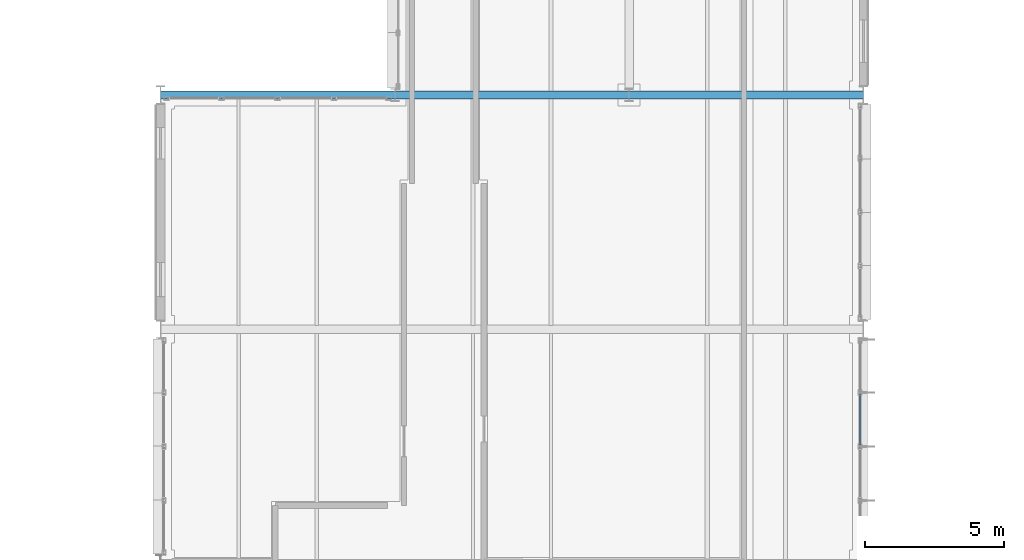
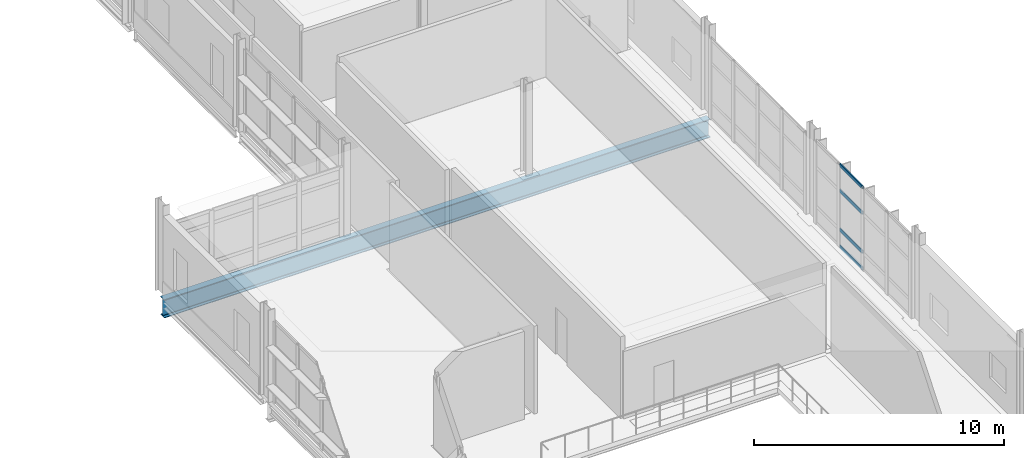
# One storey, part 50 of 129: 4 members, 1 beam, 1 element without a shape of its own.
"""IFC4 building model written with IfcOpenShell, lengths in metres."""

import ifcopenshell
import ifcopenshell.guid

model = None  # the IFC model being written
_history = None  # IfcOwnerHistory: only IFC2X3 demands one
_inside = {}  # id of a spatial element -> (the spatial element, [elements in it])
_under = {}  # id of a project, library or spatial element -> (it, [spatial elements below it])
_declared = {}  # id of a project -> (the project, [libraries it declares])
_typed = {}  # id of a type object -> (the type object, [elements of that type])
_made_of = {}  # id of a material, layer set ... -> (it, [elements and type objects made of it])


def new_model(schema):
    """Start an empty IFC model of exactly this schema.

    Asked for "IFC4X3", IfcOpenShell would pick the latest addendum, in which some entities
    have other attributes; the version numbers below select the first issue.
    IFC2X3 requires an IfcOwnerHistory on every rooted entity: one is made here for all.
    """
    global model, _history
    if schema == "IFC4X3":
        model = ifcopenshell.file(schema_version=(4, 3, 0, 0))
    else:
        model = ifcopenshell.file(schema=schema)
    _inside.clear()
    _under.clear()
    _declared.clear()
    _typed.clear()
    _made_of.clear()
    _history = None
    if model.schema == "IFC2X3":
        org = make("IfcOrganization", Name="unknown")
        user = make(
            "IfcPersonAndOrganization",
            ThePerson=make("IfcPerson", FamilyName="unknown"),
            TheOrganization=org,
        )
        app = make(
            "IfcApplication",
            ApplicationDeveloper=org,
            Version="unknown",
            ApplicationFullName="unknown",
            ApplicationIdentifier="unknown",
        )
        _history = make(
            "IfcOwnerHistory",
            OwningUser=user,
            OwningApplication=app,
            ChangeAction="ADDED",
            CreationDate=0,
        )
    return model


def make(cls, **values):
    """One entity of the class cls with the attributes given. An attribute that is None is left unset."""
    return model.create_entity(
        cls, **{name: value for name, value in values.items() if value is not None}
    )


def rooted(cls, **values):
    """An entity with a GlobalId (a new one), such as an element, a storey or a relation."""
    return make(cls, GlobalId=ifcopenshell.guid.new(), OwnerHistory=_history, **values)


def si_unit(unit_type, name, prefix=None):
    """IfcSIUnit, for example si_unit("LENGTHUNIT", "METRE", prefix="MILLI")."""
    return make("IfcSIUnit", UnitType=unit_type, Prefix=prefix, Name=name)


def assignment(units):
    """IfcUnitAssignment: the units of a project."""
    return None if units is None else make("IfcUnitAssignment", Units=units)


def point(xyz):
    """IfcCartesianPoint."""
    return None if xyz is None else make("IfcCartesianPoint", Coordinates=xyz)


def direction(xyz):
    """IfcDirection."""
    return None if xyz is None else make("IfcDirection", DirectionRatios=xyz)


def frame(location, z_axis=None, x_axis=None):
    """IfcAxis2Placement3D, a coordinate frame: its origin and axes. An axis left out is left unset."""
    return make(
        "IfcAxis2Placement3D",
        Location=point(location),
        Axis=direction(z_axis),
        RefDirection=direction(x_axis),
    )


def frame_2d(location, x_axis=None):
    """IfcAxis2Placement2D, a coordinate frame in the plane: its origin and x axis."""
    return make(
        "IfcAxis2Placement2D", Location=point(location), RefDirection=direction(x_axis)
    )


def origin():
    """The frame at (0, 0, 0) with its axes left unset."""
    return frame((0.0, 0.0, 0.0))


def origin_2d():
    """The frame at (0, 0) in the plane with its x axis left unset."""
    return frame_2d((0.0, 0.0))


def place(relative_to, where):
    """IfcLocalPlacement: puts the frame where relative to a parent placement (None: the world)."""
    return make(
        "IfcLocalPlacement", PlacementRelTo=relative_to, RelativePlacement=where
    )


def context(
    kind, dimensions, precision=None, world=None, true_north=None, identifier=None
):
    """IfcGeometricRepresentationContext, for example the 3D "Model" context."""
    return make(
        "IfcGeometricRepresentationContext",
        ContextIdentifier=identifier,
        ContextType=kind,
        CoordinateSpaceDimension=dimensions,
        Precision=precision,
        WorldCoordinateSystem=world,
        TrueNorth=true_north,
    )


def subcontext(parent, identifier, kind, view, scale=None):
    """IfcGeometricRepresentationSubContext, for example "Body" below "Model"."""
    return make(
        "IfcGeometricRepresentationSubContext",
        ContextIdentifier=identifier,
        ContextType=kind,
        ParentContext=parent,
        TargetScale=scale,
        TargetView=view,
    )


def project(units=None, contexts=None):
    """IfcProject with its units and contexts."""
    return rooted(
        "IfcProject",
        Name="project",
        RepresentationContexts=contexts,
        UnitsInContext=assignment(units),
    )


def spatial(cls, under=None, at=None, **own):
    """A site, building, storey or space (cls), placed at a placement, below another one or the project."""
    s = rooted(cls, ObjectPlacement=at, **own)
    if under is not None:
        _under.setdefault(under.id(), (under, []))[1].append(s)
    return s


def profile(cls, at=None, kind="AREA", **sizes):
    """A parametric profile (cls). Its sizes go by their IFC names, for example OverallWidth=200.0."""
    return make(cls, ProfileType=kind, Position=at, **sizes)


def hollow_rectangle(**sizes):
    """IfcRectangleHollowProfileDef."""
    return profile("IfcRectangleHollowProfileDef", **sizes)


def i_section(**sizes):
    """IfcIShapeProfileDef."""
    return profile("IfcIShapeProfileDef", **sizes)


def extrude(swept, where, along, depth):
    """IfcExtrudedAreaSolid: the profile swept, set in the frame where, extruded along a direction by depth."""
    return make(
        "IfcExtrudedAreaSolid",
        SweptArea=swept,
        Position=where,
        ExtrudedDirection=direction(along),
        Depth=depth,
    )


def shape(context_of_items, identifier, shape_type, items):
    """IfcShapeRepresentation: the items that make up one representation, for example the "Body"."""
    return make(
        "IfcShapeRepresentation",
        ContextOfItems=context_of_items,
        RepresentationIdentifier=identifier,
        RepresentationType=shape_type,
        Items=items,
    )


def material(Name=None, Category=None):
    """IfcMaterial."""
    return make("IfcMaterial", Name=Name, Category=Category)


def material_profile(
    of_material, cross_section, Name=None, Category=None, Priority=None
):
    """IfcMaterialProfile: a cross section and its material."""
    return make(
        "IfcMaterialProfile",
        Name=Name,
        Material=of_material,
        Profile=cross_section,
        Priority=Priority,
        Category=Category,
    )


def profile_set(profiles, Name=None, composite=None):
    """IfcMaterialProfileSet."""
    return make(
        "IfcMaterialProfileSet",
        Name=Name,
        MaterialProfiles=profiles,
        CompositeProfile=composite,
    )


def made_of(thing, what):
    """Note that an element or type object is made of a material, layer set ...; save() writes the relation."""
    if what is not None:
        _made_of.setdefault(what.id(), (what, []))[1].append(thing)
    return thing


def type_object(cls, material=None, **own):
    """A type object (cls), such as IfcWallType, which elements share."""
    return made_of(rooted(cls, **own), material)


def element(
    cls,
    number,
    at=None,
    inside=None,
    cuts=None,
    type_object=None,
    material=None,
    context=None,
    identifier="Body",
    shape_type=None,
    held_by="IfcProductDefinitionShape",
    body=None,
    shapes=None,
    **own,
):
    """One element of the class cls, such as IfcWall. Its Tag is "e" and its number.

    at: its placement. inside: the storey or other place that contains it. cuts: it is an
    opening in that element (IfcRelVoidsElement). A single representation is given by context,
    identifier, shape_type and body (its items); several are given by shapes. held_by: the class
    of the entity that holds the representations. save() writes the other relations.
    """
    e = rooted(cls, Tag="e%d" % number, ObjectPlacement=at, **own)
    if body is not None:
        shapes = [shape(context, identifier, shape_type, body)]
    if shapes is not None:
        e.Representation = make(held_by, Representations=shapes)
    if inside is not None:
        _inside.setdefault(inside.id(), (inside, []))[1].append(e)
    if cuts is not None:
        rooted(
            "IfcRelVoidsElement", RelatingBuildingElement=cuts, RelatedOpeningElement=e
        )
    if type_object is not None:
        _typed.setdefault(type_object.id(), (type_object, []))[1].append(e)
    return made_of(e, material)


def aggregate(whole, parts):
    """IfcRelAggregates: a whole, such as a stair, and the parts it consists of."""
    return rooted("IfcRelAggregates", RelatingObject=whole, RelatedObjects=parts)


def save(model, path):
    """Write the relations noted so far, then the file.

    IfcRelAggregates (storeys below a building ...), IfcRelContainedInSpatialStructure (elements
    in a storey), IfcRelDefinesByType, IfcRelAssociatesMaterial and IfcRelDeclares: one each for
    every whole, place, type object, material and project.
    """
    for whole, parts in _under.values():
        aggregate(whole, parts)
    for where, things in _inside.values():
        rooted(
            "IfcRelContainedInSpatialStructure",
            RelatedElements=things,
            RelatingStructure=where,
        )
    for kind, things in _typed.values():
        rooted("IfcRelDefinesByType", RelatedObjects=things, RelatingType=kind)
    for what, things in _made_of.values():
        rooted("IfcRelAssociatesMaterial", RelatedObjects=things, RelatingMaterial=what)
    for by, libraries in _declared.values():
        rooted("IfcRelDeclares", RelatingContext=by, RelatedDefinitions=libraries)
    model.write(path)


model = new_model("IFC4")

# Units and contexts
model_context = context("Model", 3, precision=1e-05, world=origin(), true_north=direction((0.0, 1.0)))
body_context = subcontext(model_context, "Body", "Model", "MODEL_VIEW")
ifc_project = project(units=[si_unit("LENGTHUNIT", "METRE"), si_unit("AREAUNIT", "SQUARE_METRE"), si_unit("VOLUMEUNIT", "CUBIC_METRE"), si_unit("PLANEANGLEUNIT", "RADIAN"), si_unit("MASSUNIT", "GRAM", prefix="KILO")], contexts=[model_context])

# Site, building, storey
site_placement = place(None, origin())
site = spatial("IfcSite", under=ifc_project, at=site_placement, CompositionType="ELEMENT")
building_placement = place(site_placement, origin())
building = spatial("IfcBuilding", under=site, at=building_placement, Name="Mersafa Astral City Hall", CompositionType="ELEMENT")
storey_placement = place(building_placement, frame((0.0, 0.0, 5.39990234375)))
storey = spatial("IfcBuildingStorey", under=building, at=storey_placement, Name="L01", CompositionType="ELEMENT", Elevation=5.39990234375)

# Curtain wall, members
ifc_material_1 = material(Name="Anodised bronze aluminium framing", Category="aluminium")
curtain_wall_type = type_object("IfcCurtainWallType", Name="ENV-CW-3", PredefinedType="USERDEFINED", material=ifc_material_1)
curtain_wall_placement = place(storey_placement, origin())
curtain_wall = element("IfcCurtainWall", 1, at=curtain_wall_placement, inside=storey, type_object=curtain_wall_type, Name="L01 Unitised solar curtain wall 56", ObjectType="UNITISED CURTAIN WALL", PredefinedType="USERDEFINED")
ifc_material_profile_1 = material_profile(ifc_material_1, hollow_rectangle(XDim=0.06005859375, YDim=0.159912109375, WallThickness=0.00390625, at=origin_2d()), Name="RHS 60x160x4")
ifc_profile_set_1 = profile_set([ifc_material_profile_1], Name="Anodised bronze aluminium framing")
member_type = type_object("IfcMemberType", Name="ENV-CW-TRN-2", PredefinedType="USERDEFINED", material=ifc_profile_set_1)
member_1_placement = place(storey_placement, frame((117.47998046875, 79.860107421875, 0.028076171875), z_axis=(0.0, 1.0, 0.0), x_axis=(-1.0, 0.0, 0.0)))
member_1 = element("IfcMember", 2, at=member_1_placement, type_object=member_type, Name="CW-3 transom 3.1", ObjectType="TRANSOM", PredefinedType="USERDEFINED", context=body_context, shape_type="SweptSolid", body=[
    extrude(hollow_rectangle(XDim=0.06005859375, YDim=0.159912109375, WallThickness=0.00390625, at=origin_2d()), origin(), (0.0, 0.0, 1.0), 1.811279296875),
])
member_2_placement = place(storey_placement, frame((117.47998046875, 79.860107421875, 0.85009765625), z_axis=(0.0, 1.0, 0.0), x_axis=(-1.0, 0.0, 0.0)))
member_2 = element("IfcMember", 3, at=member_2_placement, type_object=member_type, Name="CW-3 transom 3.2", ObjectType="TRANSOM", PredefinedType="USERDEFINED", context=body_context, shape_type="SweptSolid", body=[
    extrude(hollow_rectangle(XDim=0.06005859375, YDim=0.159912109375, WallThickness=0.00390625, at=origin_2d()), origin(), (0.0, 0.0, 1.0), 1.811279296875),
])
member_3_placement = place(storey_placement, frame((117.47998046875, 79.860107421875, 2.75), z_axis=(0.0, 1.0, 0.0), x_axis=(-1.0, 0.0, 0.0)))
member_3 = element("IfcMember", 4, at=member_3_placement, type_object=member_type, Name="CW-3 transom 3.3", ObjectType="TRANSOM", PredefinedType="USERDEFINED", context=body_context, shape_type="SweptSolid", body=[
    extrude(hollow_rectangle(XDim=0.06005859375, YDim=0.159912109375, WallThickness=0.00390625, at=origin_2d()), origin(), (0.0, 0.0, 1.0), 1.811279296875),
])
member_4_placement = place(storey_placement, frame((117.47998046875, 79.860107421875, 3.9970703125), z_axis=(0.0, 1.0, 0.0), x_axis=(-1.0, 0.0, 0.0)))
member_4 = element("IfcMember", 5, at=member_4_placement, type_object=member_type, Name="CW-3 transom 3.4", ObjectType="TRANSOM", PredefinedType="USERDEFINED", context=body_context, shape_type="SweptSolid", body=[
    extrude(hollow_rectangle(XDim=0.06005859375, YDim=0.159912109375, WallThickness=0.00390625, at=origin_2d()), origin(), (0.0, 0.0, 1.0), 1.811279296875),
])
aggregate(curtain_wall, [member_1, member_2, member_3, member_4])

# Beam
ifc_material_2 = material(Name="Steel S355", Category="steel")
ifc_material_profile_2 = material_profile(ifc_material_2, i_section(OverallWidth=0.300048828125, OverallDepth=0.89990234375, WebThickness=0.0185546875, FlangeThickness=0.034912109375, FilletRadius=0.030029296875, at=origin_2d()), Name="HEB 900")
ifc_profile_set_2 = profile_set([ifc_material_profile_2], Name="Steel S355")
beam_type = type_object("IfcBeamType", Name="STR-BM-HEB900", PredefinedType="BEAM", material=ifc_profile_set_2)
beam_placement = place(storey_placement, frame((92.403076171875, 92.39990234375, -0.6748046875), z_axis=(1.0, 0.0, 0.0), x_axis=(0.0, 1.0, 0.0)))
element("IfcBeam", 6, at=beam_placement, inside=storey, type_object=beam_type, Name="L01 Public Service Hall clear-span portal girder 11", PredefinedType="BEAM", context=body_context, shape_type="SweptSolid", body=[
    extrude(i_section(OverallWidth=0.300048828125, OverallDepth=0.89990234375, WebThickness=0.0185546875, FlangeThickness=0.034912109375, FilletRadius=0.030029296875, at=origin_2d()), origin(), (0.0, 0.0, 1.0), 25.19384765625),
])

save(model, "model.ifc")
